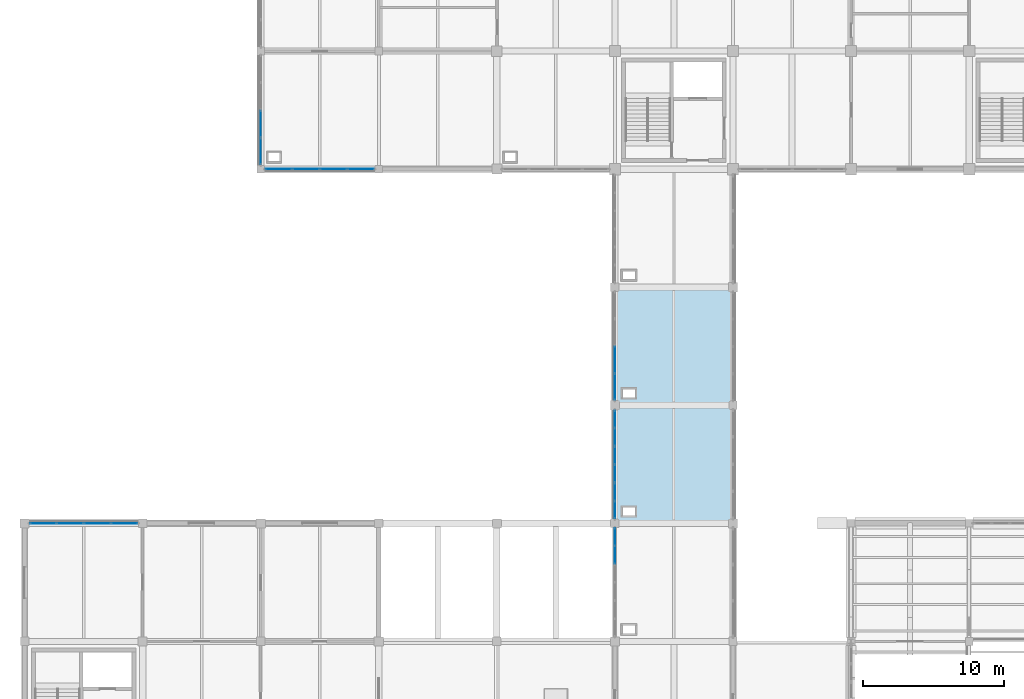
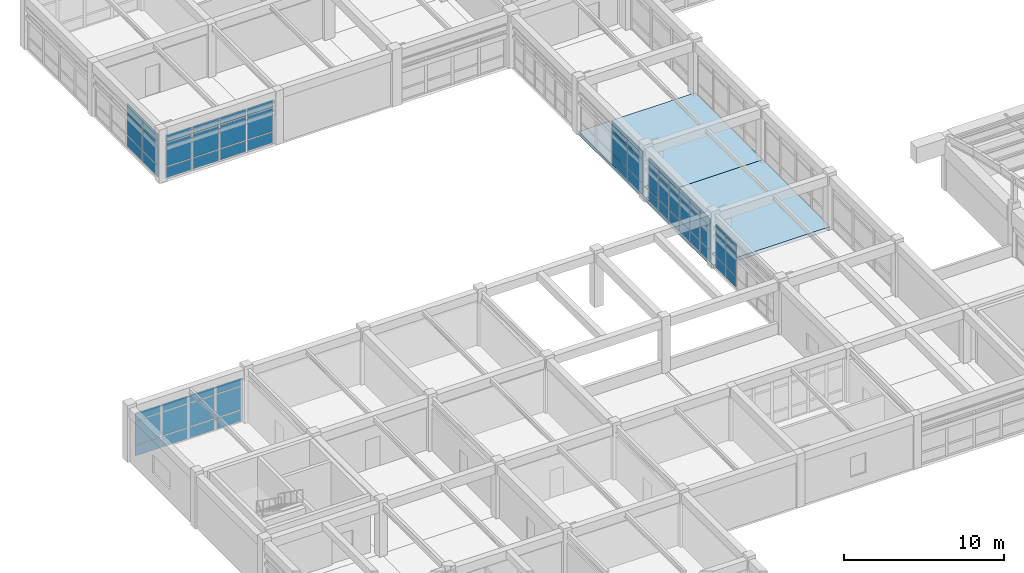
# One storey, part 51 of 74: 60 plates, 2 slabs, 6 elements without a shape of their own.
"""IFC4 building model written with IfcOpenShell, lengths in metres."""

from ifc_helpers import new_model, si_unit, direction, frame, origin, origin_2d, place, context, subcontext, project, spatial, polyline, rectangle, outline, extrude, material, layer, layer_set, type_object, element, aggregate, save


model = new_model("IFC4")

# Units and contexts
model_context = context("Model", 3, precision=1e-05, world=origin(), true_north=direction((0.0, 1.0)))
body_context = subcontext(model_context, "Body", "Model", "MODEL_VIEW")
ifc_project = project(units=[si_unit("LENGTHUNIT", "METRE"), si_unit("AREAUNIT", "SQUARE_METRE"), si_unit("VOLUMEUNIT", "CUBIC_METRE"), si_unit("PLANEANGLEUNIT", "RADIAN"), si_unit("MASSUNIT", "GRAM", prefix="KILO")], contexts=[model_context])

# Site, building, storey
site_placement = place(None, origin())
site = spatial("IfcSite", under=ifc_project, at=site_placement, CompositionType="ELEMENT")
building_placement = place(site_placement, origin())
building = spatial("IfcBuilding", under=site, at=building_placement, Name="Porcellanite Civic Hall", CompositionType="ELEMENT")
storey_placement = place(building_placement, frame((0.0, 0.0, 14.760009765625)))
storey = spatial("IfcBuildingStorey", under=building, at=storey_placement, Name="L03", CompositionType="ELEMENT", Elevation=14.760009765625)

# Curtain wall, plates
ifc_material_1 = material(Name="Anodised aluminium and solar laminated glass", Category="aluminium")
ifc_layer_1 = layer(ifc_material_1, 0.179931640625)
ifc_layer_set_1 = layer_set([ifc_layer_1], Name="Anodised aluminium and solar laminated glass")
curtain_wall_type_1 = type_object("IfcCurtainWallType", Name="CW-SYS05", PredefinedType="NOTDEFINED", material=ifc_layer_set_1)
curtain_wall_1_placement = place(storey_placement, origin())
curtain_wall_1 = element("IfcCurtainWall", 1, at=curtain_wall_1_placement, inside=storey, type_object=curtain_wall_type_1, Name="Curtain wall CW-185", PredefinedType="NOTDEFINED")
ifc_material_2 = material(Name="Cyclone laminated solar-control low-E glass", Category="glass")
ifc_layer_2 = layer(ifc_material_2, 0.028076171875)
ifc_layer_set_2 = layer_set([ifc_layer_2], Name="Cyclone laminated solar-control low-E glass")
plate_type_1 = type_object("IfcPlateType", Name="CWP-03", PredefinedType="CURTAIN_PANEL", material=ifc_layer_set_2)
plate_1_placement = place(storey_placement, frame((9.715087890625, 75.60009765625, 0.06005859375), z_axis=(0.0, 0.0, 1.0), x_axis=(1.0, 0.0, 0.0)))
plate_1 = element("IfcPlate", 2, at=plate_1_placement, type_object=plate_type_1, Name="CW-185 panel 1.1", PredefinedType="CURTAIN_PANEL", context=body_context, shape_type="SweptSolid", body=[
    extrude(rectangle(XDim=1.838134765625, YDim=0.028076171875, at=origin_2d()), origin(), (0.0, 0.0, 1.0), 0.81005859375),
])
plate_2_placement = place(storey_placement, frame((9.715087890625, 75.60009765625, 0.93017578125), z_axis=(0.0, 0.0, 1.0), x_axis=(1.0, 0.0, 0.0)))
plate_2 = element("IfcPlate", 3, at=plate_2_placement, type_object=plate_type_1, Name="CW-185 panel 1.2", PredefinedType="CURTAIN_PANEL", context=body_context, shape_type="SweptSolid", body=[
    extrude(rectangle(XDim=1.838134765625, YDim=0.028076171875, at=origin_2d()), origin(), (0.0, 0.0, 1.0), 1.760009765625),
])
plate_3_placement = place(storey_placement, frame((9.715087890625, 75.60009765625, 2.75), z_axis=(0.0, 0.0, 1.0), x_axis=(1.0, 0.0, 0.0)))
plate_3 = element("IfcPlate", 4, at=plate_3_placement, type_object=plate_type_1, Name="CW-185 panel 1.3", PredefinedType="CURTAIN_PANEL", context=body_context, shape_type="SweptSolid", body=[
    extrude(rectangle(XDim=1.838134765625, YDim=0.028076171875, at=origin_2d()), origin(), (0.0, 0.0, 1.0), 0.56005859375),
])
plate_4_placement = place(storey_placement, frame((11.640869140625, 75.60009765625, 0.06005859375), z_axis=(0.0, 0.0, 1.0), x_axis=(1.0, 0.0, 0.0)))
plate_4 = element("IfcPlate", 5, at=plate_4_placement, type_object=plate_type_1, Name="CW-185 panel 2.1", PredefinedType="CURTAIN_PANEL", context=body_context, shape_type="SweptSolid", body=[
    extrude(rectangle(XDim=1.873291015625, YDim=0.028076171875, at=origin_2d()), origin(), (0.0, 0.0, 1.0), 0.81005859375),
])
plate_5_placement = place(storey_placement, frame((11.640869140625, 75.60009765625, 0.93017578125), z_axis=(0.0, 0.0, 1.0), x_axis=(1.0, 0.0, 0.0)))
plate_5 = element("IfcPlate", 6, at=plate_5_placement, type_object=plate_type_1, Name="CW-185 panel 2.2", PredefinedType="CURTAIN_PANEL", context=body_context, shape_type="SweptSolid", body=[
    extrude(rectangle(XDim=1.873291015625, YDim=0.028076171875, at=origin_2d()), origin(), (0.0, 0.0, 1.0), 1.760009765625),
])
plate_6_placement = place(storey_placement, frame((11.640869140625, 75.60009765625, 2.75), z_axis=(0.0, 0.0, 1.0), x_axis=(1.0, 0.0, 0.0)))
plate_6 = element("IfcPlate", 7, at=plate_6_placement, type_object=plate_type_1, Name="CW-185 panel 2.3", PredefinedType="CURTAIN_PANEL", context=body_context, shape_type="SweptSolid", body=[
    extrude(rectangle(XDim=1.873291015625, YDim=0.028076171875, at=origin_2d()), origin(), (0.0, 0.0, 1.0), 0.56005859375),
])
plate_7_placement = place(storey_placement, frame((13.584228515625, 75.60009765625, 0.06005859375), z_axis=(0.0, 0.0, 1.0), x_axis=(1.0, 0.0, 0.0)))
plate_7 = element("IfcPlate", 8, at=plate_7_placement, type_object=plate_type_1, Name="CW-185 panel 3.1", PredefinedType="CURTAIN_PANEL", context=body_context, shape_type="SweptSolid", body=[
    extrude(rectangle(XDim=1.873291015625, YDim=0.028076171875, at=origin_2d()), origin(), (0.0, 0.0, 1.0), 0.81005859375),
])
plate_8_placement = place(storey_placement, frame((13.584228515625, 75.60009765625, 0.93017578125), z_axis=(0.0, 0.0, 1.0), x_axis=(1.0, 0.0, 0.0)))
plate_8 = element("IfcPlate", 9, at=plate_8_placement, type_object=plate_type_1, Name="CW-185 panel 3.2", PredefinedType="CURTAIN_PANEL", context=body_context, shape_type="SweptSolid", body=[
    extrude(rectangle(XDim=1.873291015625, YDim=0.028076171875, at=origin_2d()), origin(), (0.0, 0.0, 1.0), 1.760009765625),
])
plate_9_placement = place(storey_placement, frame((13.584228515625, 75.60009765625, 2.75), z_axis=(0.0, 0.0, 1.0), x_axis=(1.0, 0.0, 0.0)))
plate_9 = element("IfcPlate", 10, at=plate_9_placement, type_object=plate_type_1, Name="CW-185 panel 3.3", PredefinedType="CURTAIN_PANEL", context=body_context, shape_type="SweptSolid", body=[
    extrude(rectangle(XDim=1.873291015625, YDim=0.028076171875, at=origin_2d()), origin(), (0.0, 0.0, 1.0), 0.56005859375),
])
plate_10_placement = place(storey_placement, frame((15.509765625, 75.60009765625, 0.06005859375), z_axis=(0.0, 0.0, 1.0), x_axis=(1.0, 0.0, 0.0)))
plate_10 = element("IfcPlate", 11, at=plate_10_placement, type_object=plate_type_1, Name="CW-185 panel 4.1", PredefinedType="CURTAIN_PANEL", context=body_context, shape_type="SweptSolid", body=[
    extrude(rectangle(XDim=1.838134765625, YDim=0.028076171875, at=origin_2d()), origin(), (0.0, 0.0, 1.0), 0.81005859375),
])
plate_11_placement = place(storey_placement, frame((15.509765625, 75.60009765625, 0.93017578125), z_axis=(0.0, 0.0, 1.0), x_axis=(1.0, 0.0, 0.0)))
plate_11 = element("IfcPlate", 12, at=plate_11_placement, type_object=plate_type_1, Name="CW-185 panel 4.2", PredefinedType="CURTAIN_PANEL", context=body_context, shape_type="SweptSolid", body=[
    extrude(rectangle(XDim=1.838134765625, YDim=0.028076171875, at=origin_2d()), origin(), (0.0, 0.0, 1.0), 1.760009765625),
])
plate_12_placement = place(storey_placement, frame((15.509765625, 75.60009765625, 2.75), z_axis=(0.0, 0.0, 1.0), x_axis=(1.0, 0.0, 0.0)))
plate_12 = element("IfcPlate", 13, at=plate_12_placement, type_object=plate_type_1, Name="CW-185 panel 4.3", PredefinedType="CURTAIN_PANEL", context=body_context, shape_type="SweptSolid", body=[
    extrude(rectangle(XDim=1.838134765625, YDim=0.028076171875, at=origin_2d()), origin(), (0.0, 0.0, 1.0), 0.56005859375),
])
aggregate(curtain_wall_1, [plate_1, plate_2, plate_3, plate_4, plate_5, plate_6, plate_7, plate_8, plate_9, plate_10, plate_11, plate_12])

curtain_wall_2_placement = place(storey_placement, origin())
curtain_wall_2 = element("IfcCurtainWall", 14, at=curtain_wall_2_placement, inside=storey, type_object=curtain_wall_type_1, Name="Curtain wall CW-187", PredefinedType="NOTDEFINED")
plate_13_placement = place(storey_placement, frame((32.325439453125, 100.800048828125, 0.06005859375), z_axis=(0.0, 0.0, 1.0), x_axis=(-1.0, 0.0, 0.0)))
plate_13 = element("IfcPlate", 15, at=plate_13_placement, type_object=plate_type_1, Name="CW-187 panel 1.1", PredefinedType="CURTAIN_PANEL", context=body_context, shape_type="SweptSolid", body=[
    extrude(rectangle(XDim=1.85693359375, YDim=0.028076171875, at=origin_2d()), origin(), (0.0, 0.0, 1.0), 0.81005859375),
])
plate_14_placement = place(storey_placement, frame((32.325439453125, 100.800048828125, 0.93017578125), z_axis=(0.0, 0.0, 1.0), x_axis=(-1.0, 0.0, 0.0)))
plate_14 = element("IfcPlate", 16, at=plate_14_placement, type_object=plate_type_1, Name="CW-187 panel 1.2", PredefinedType="CURTAIN_PANEL", context=body_context, shape_type="SweptSolid", body=[
    extrude(rectangle(XDim=1.85693359375, YDim=0.028076171875, at=origin_2d()), origin(), (0.0, 0.0, 1.0), 1.760009765625),
])
plate_15_placement = place(storey_placement, frame((32.325439453125, 100.800048828125, 2.75), z_axis=(0.0, 0.0, 1.0), x_axis=(-1.0, 0.0, 0.0)))
plate_15 = element("IfcPlate", 17, at=plate_15_placement, type_object=plate_type_1, Name="CW-187 panel 1.3", PredefinedType="CURTAIN_PANEL", context=body_context, shape_type="SweptSolid", body=[
    extrude(rectangle(XDim=1.85693359375, YDim=0.028076171875, at=origin_2d()), origin(), (0.0, 0.0, 1.0), 0.56005859375),
])
plate_16_placement = place(storey_placement, frame((30.381103515625, 100.800048828125, 0.06005859375), z_axis=(0.0, 0.0, 1.0), x_axis=(-1.0, 0.0, 0.0)))
plate_16 = element("IfcPlate", 18, at=plate_16_placement, type_object=plate_type_1, Name="CW-187 panel 2.1", PredefinedType="CURTAIN_PANEL", context=body_context, shape_type="SweptSolid", body=[
    extrude(rectangle(XDim=1.89208984375, YDim=0.028076171875, at=origin_2d()), origin(), (0.0, 0.0, 1.0), 0.81005859375),
])
plate_17_placement = place(storey_placement, frame((30.381103515625, 100.800048828125, 0.93017578125), z_axis=(0.0, 0.0, 1.0), x_axis=(-1.0, 0.0, 0.0)))
plate_17 = element("IfcPlate", 19, at=plate_17_placement, type_object=plate_type_1, Name="CW-187 panel 2.2", PredefinedType="CURTAIN_PANEL", context=body_context, shape_type="SweptSolid", body=[
    extrude(rectangle(XDim=1.89208984375, YDim=0.028076171875, at=origin_2d()), origin(), (0.0, 0.0, 1.0), 1.760009765625),
])
plate_18_placement = place(storey_placement, frame((30.381103515625, 100.800048828125, 2.75), z_axis=(0.0, 0.0, 1.0), x_axis=(-1.0, 0.0, 0.0)))
plate_18 = element("IfcPlate", 20, at=plate_18_placement, type_object=plate_type_1, Name="CW-187 panel 2.3", PredefinedType="CURTAIN_PANEL", context=body_context, shape_type="SweptSolid", body=[
    extrude(rectangle(XDim=1.89208984375, YDim=0.028076171875, at=origin_2d()), origin(), (0.0, 0.0, 1.0), 0.56005859375),
])
plate_19_placement = place(storey_placement, frame((28.4189453125, 100.800048828125, 0.06005859375), z_axis=(0.0, 0.0, 1.0), x_axis=(-1.0, 0.0, 0.0)))
plate_19 = element("IfcPlate", 21, at=plate_19_placement, type_object=plate_type_1, Name="CW-187 panel 3.1", PredefinedType="CURTAIN_PANEL", context=body_context, shape_type="SweptSolid", body=[
    extrude(rectangle(XDim=1.89208984375, YDim=0.028076171875, at=origin_2d()), origin(), (0.0, 0.0, 1.0), 0.81005859375),
])
plate_20_placement = place(storey_placement, frame((28.4189453125, 100.800048828125, 0.93017578125), z_axis=(0.0, 0.0, 1.0), x_axis=(-1.0, 0.0, 0.0)))
plate_20 = element("IfcPlate", 22, at=plate_20_placement, type_object=plate_type_1, Name="CW-187 panel 3.2", PredefinedType="CURTAIN_PANEL", context=body_context, shape_type="SweptSolid", body=[
    extrude(rectangle(XDim=1.89208984375, YDim=0.028076171875, at=origin_2d()), origin(), (0.0, 0.0, 1.0), 1.760009765625),
])
plate_21_placement = place(storey_placement, frame((28.4189453125, 100.800048828125, 2.75), z_axis=(0.0, 0.0, 1.0), x_axis=(-1.0, 0.0, 0.0)))
plate_21 = element("IfcPlate", 23, at=plate_21_placement, type_object=plate_type_1, Name="CW-187 panel 3.3", PredefinedType="CURTAIN_PANEL", context=body_context, shape_type="SweptSolid", body=[
    extrude(rectangle(XDim=1.89208984375, YDim=0.028076171875, at=origin_2d()), origin(), (0.0, 0.0, 1.0), 0.56005859375),
])
plate_22_placement = place(storey_placement, frame((26.474609375, 100.800048828125, 0.06005859375), z_axis=(0.0, 0.0, 1.0), x_axis=(-1.0, 0.0, 0.0)))
plate_22 = element("IfcPlate", 24, at=plate_22_placement, type_object=plate_type_1, Name="CW-187 panel 4.1", PredefinedType="CURTAIN_PANEL", context=body_context, shape_type="SweptSolid", body=[
    extrude(rectangle(XDim=1.85693359375, YDim=0.028076171875, at=origin_2d()), origin(), (0.0, 0.0, 1.0), 0.81005859375),
])
plate_23_placement = place(storey_placement, frame((26.474609375, 100.800048828125, 0.93017578125), z_axis=(0.0, 0.0, 1.0), x_axis=(-1.0, 0.0, 0.0)))
plate_23 = element("IfcPlate", 25, at=plate_23_placement, type_object=plate_type_1, Name="CW-187 panel 4.2", PredefinedType="CURTAIN_PANEL", context=body_context, shape_type="SweptSolid", body=[
    extrude(rectangle(XDim=1.85693359375, YDim=0.028076171875, at=origin_2d()), origin(), (0.0, 0.0, 1.0), 1.760009765625),
])
plate_24_placement = place(storey_placement, frame((26.474609375, 100.800048828125, 2.75), z_axis=(0.0, 0.0, 1.0), x_axis=(-1.0, 0.0, 0.0)))
plate_24 = element("IfcPlate", 26, at=plate_24_placement, type_object=plate_type_1, Name="CW-187 panel 4.3", PredefinedType="CURTAIN_PANEL", context=body_context, shape_type="SweptSolid", body=[
    extrude(rectangle(XDim=1.85693359375, YDim=0.028076171875, at=origin_2d()), origin(), (0.0, 0.0, 1.0), 0.56005859375),
])
aggregate(curtain_wall_2, [plate_13, plate_14, plate_15, plate_16, plate_17, plate_18, plate_19, plate_20, plate_21, plate_22, plate_23, plate_24])

curtain_wall_3_placement = place(storey_placement, origin())
curtain_wall_3 = element("IfcCurtainWall", 27, at=curtain_wall_3_placement, inside=storey, type_object=curtain_wall_type_1, Name="Curtain wall CW-188", PredefinedType="NOTDEFINED")
plate_25_placement = place(storey_placement, frame((25.199951171875, 102.074462890625, 0.06005859375), z_axis=(0.0, 0.0, 1.0), x_axis=(0.0, 1.0, 0.0)))
plate_25 = element("IfcPlate", 28, at=plate_25_placement, type_object=plate_type_1, Name="CW-188 panel 1.1", PredefinedType="CURTAIN_PANEL", context=body_context, shape_type="SweptSolid", body=[
    extrude(rectangle(XDim=1.85693359375, YDim=0.028076171875, at=origin_2d()), origin(), (0.0, 0.0, 1.0), 0.81005859375),
])
plate_26_placement = place(storey_placement, frame((25.199951171875, 102.074462890625, 0.93017578125), z_axis=(0.0, 0.0, 1.0), x_axis=(0.0, 1.0, 0.0)))
plate_26 = element("IfcPlate", 29, at=plate_26_placement, type_object=plate_type_1, Name="CW-188 panel 1.2", PredefinedType="CURTAIN_PANEL", context=body_context, shape_type="SweptSolid", body=[
    extrude(rectangle(XDim=1.85693359375, YDim=0.028076171875, at=origin_2d()), origin(), (0.0, 0.0, 1.0), 1.760009765625),
])
plate_27_placement = place(storey_placement, frame((25.199951171875, 102.074462890625, 2.75), z_axis=(0.0, 0.0, 1.0), x_axis=(0.0, 1.0, 0.0)))
plate_27 = element("IfcPlate", 30, at=plate_27_placement, type_object=plate_type_1, Name="CW-188 panel 1.3", PredefinedType="CURTAIN_PANEL", context=body_context, shape_type="SweptSolid", body=[
    extrude(rectangle(XDim=1.85693359375, YDim=0.028076171875, at=origin_2d()), origin(), (0.0, 0.0, 1.0), 0.56005859375),
])
plate_28_placement = place(storey_placement, frame((25.199951171875, 104.01904296875, 0.06005859375), z_axis=(0.0, 0.0, 1.0), x_axis=(0.0, 1.0, 0.0)))
plate_28 = element("IfcPlate", 31, at=plate_28_placement, type_object=plate_type_1, Name="CW-188 panel 2.1", PredefinedType="CURTAIN_PANEL", context=body_context, shape_type="SweptSolid", body=[
    extrude(rectangle(XDim=1.89208984375, YDim=0.028076171875, at=origin_2d()), origin(), (0.0, 0.0, 1.0), 0.81005859375),
])
plate_29_placement = place(storey_placement, frame((25.199951171875, 104.01904296875, 0.93017578125), z_axis=(0.0, 0.0, 1.0), x_axis=(0.0, 1.0, 0.0)))
plate_29 = element("IfcPlate", 32, at=plate_29_placement, type_object=plate_type_1, Name="CW-188 panel 2.2", PredefinedType="CURTAIN_PANEL", context=body_context, shape_type="SweptSolid", body=[
    extrude(rectangle(XDim=1.89208984375, YDim=0.028076171875, at=origin_2d()), origin(), (0.0, 0.0, 1.0), 1.760009765625),
])
plate_30_placement = place(storey_placement, frame((25.199951171875, 104.01904296875, 2.75), z_axis=(0.0, 0.0, 1.0), x_axis=(0.0, 1.0, 0.0)))
plate_30 = element("IfcPlate", 33, at=plate_30_placement, type_object=plate_type_1, Name="CW-188 panel 2.3", PredefinedType="CURTAIN_PANEL", context=body_context, shape_type="SweptSolid", body=[
    extrude(rectangle(XDim=1.89208984375, YDim=0.028076171875, at=origin_2d()), origin(), (0.0, 0.0, 1.0), 0.56005859375),
])
aggregate(curtain_wall_3, [plate_25, plate_26, plate_27, plate_28, plate_29, plate_30])

ifc_material_3 = material(Name="Anodised aluminium and solar laminated glass", Category="aluminium")
ifc_layer_3 = layer(ifc_material_3, 0.179931640625)
ifc_layer_set_3 = layer_set([ifc_layer_3], Name="Anodised aluminium and solar laminated glass")
curtain_wall_type_2 = type_object("IfcCurtainWallType", Name="CW-SYS07", PredefinedType="NOTDEFINED", material=ifc_layer_set_3)
curtain_wall_4_placement = place(storey_placement, origin())
curtain_wall_4 = element("IfcCurtainWall", 34, at=curtain_wall_4_placement, inside=storey, type_object=curtain_wall_type_2, Name="Curtain wall CW-195", PredefinedType="NOTDEFINED")
ifc_material_4 = material(Name="Cyclone laminated solar-control low-E glass", Category="glass")
ifc_layer_4 = layer(ifc_material_4, 0.033935546875)
ifc_layer_set_4 = layer_set([ifc_layer_4], Name="Cyclone laminated solar-control low-E glass")
plate_type_2 = type_object("IfcPlateType", Name="CWP-06", PredefinedType="CURTAIN_PANEL", material=ifc_layer_set_4)
plate_31_placement = place(storey_placement, frame((50.39990234375, 73.355712890625, 0.0498046875), z_axis=(0.0, 0.0, 1.0), x_axis=(0.0, 1.0, 0.0)))
plate_31 = element("IfcPlate", 35, at=plate_31_placement, type_object=plate_type_2, Name="CW-195 panel 5.1", PredefinedType="CURTAIN_PANEL", context=body_context, shape_type="SweptSolid", body=[
    extrude(rectangle(XDim=1.235595703125, YDim=0.033935546875, at=origin_2d()), origin(), (0.0, 0.0, 1.0), 0.824951171875),
])
plate_32_placement = place(storey_placement, frame((50.39990234375, 73.355712890625, 0.925048828125), z_axis=(0.0, 0.0, 1.0), x_axis=(0.0, 1.0, 0.0)))
plate_32 = element("IfcPlate", 36, at=plate_32_placement, type_object=plate_type_2, Name="CW-195 panel 5.2", PredefinedType="CURTAIN_PANEL", context=body_context, shape_type="SweptSolid", body=[
    extrude(rectangle(XDim=1.235595703125, YDim=0.033935546875, at=origin_2d()), origin(), (0.0, 0.0, 1.0), 1.77001953125),
])
plate_33_placement = place(storey_placement, frame((50.39990234375, 73.355712890625, 2.7451171875), z_axis=(0.0, 0.0, 1.0), x_axis=(0.0, 1.0, 0.0)))
plate_33 = element("IfcPlate", 37, at=plate_33_placement, type_object=plate_type_2, Name="CW-195 panel 5.3", PredefinedType="CURTAIN_PANEL", context=body_context, shape_type="SweptSolid", body=[
    extrude(rectangle(XDim=1.235595703125, YDim=0.033935546875, at=origin_2d()), origin(), (0.0, 0.0, 1.0), 0.574951171875),
])
plate_34_placement = place(storey_placement, frame((50.39990234375, 74.63623046875, 0.0498046875), z_axis=(0.0, 0.0, 1.0), x_axis=(0.0, 1.0, 0.0)))
plate_34 = element("IfcPlate", 38, at=plate_34_placement, type_object=plate_type_2, Name="CW-195 panel 6.1", PredefinedType="CURTAIN_PANEL", context=body_context, shape_type="SweptSolid", body=[
    extrude(rectangle(XDim=1.20556640625, YDim=0.033935546875, at=origin_2d()), origin(), (0.0, 0.0, 1.0), 0.824951171875),
])
plate_35_placement = place(storey_placement, frame((50.39990234375, 74.63623046875, 0.925048828125), z_axis=(0.0, 0.0, 1.0), x_axis=(0.0, 1.0, 0.0)))
plate_35 = element("IfcPlate", 39, at=plate_35_placement, type_object=plate_type_2, Name="CW-195 panel 6.2", PredefinedType="CURTAIN_PANEL", context=body_context, shape_type="SweptSolid", body=[
    extrude(rectangle(XDim=1.20556640625, YDim=0.033935546875, at=origin_2d()), origin(), (0.0, 0.0, 1.0), 1.77001953125),
])
plate_36_placement = place(storey_placement, frame((50.39990234375, 74.63623046875, 2.7451171875), z_axis=(0.0, 0.0, 1.0), x_axis=(0.0, 1.0, 0.0)))
plate_36 = element("IfcPlate", 40, at=plate_36_placement, type_object=plate_type_2, Name="CW-195 panel 6.3", PredefinedType="CURTAIN_PANEL", context=body_context, shape_type="SweptSolid", body=[
    extrude(rectangle(XDim=1.20556640625, YDim=0.033935546875, at=origin_2d()), origin(), (0.0, 0.0, 1.0), 0.574951171875),
])
aggregate(curtain_wall_4, [plate_31, plate_32, plate_33, plate_34, plate_35, plate_36])

ifc_material_5 = material(Name="Anodised aluminium and solar laminated glass", Category="aluminium")
ifc_layer_5 = layer(ifc_material_5, 0.179931640625)
ifc_layer_set_5 = layer_set([ifc_layer_5], Name="Anodised aluminium and solar laminated glass")
curtain_wall_type_3 = type_object("IfcCurtainWallType", Name="CW-SYS01", PredefinedType="NOTDEFINED", material=ifc_layer_set_5)
curtain_wall_5_placement = place(storey_placement, origin())
curtain_wall_5 = element("IfcCurtainWall", 41, at=curtain_wall_5_placement, inside=storey, type_object=curtain_wall_type_3, Name="Curtain wall CW-197", PredefinedType="NOTDEFINED")
ifc_material_6 = material(Name="Insulated ochre aluminium spandrel panel", Category="aluminium")
ifc_layer_6 = layer(ifc_material_6, 0.0380859375)
ifc_layer_set_6 = layer_set([ifc_layer_6], Name="Insulated ochre aluminium spandrel panel")
plate_type_3 = type_object("IfcPlateType", Name="CWP-08", PredefinedType="CURTAIN_PANEL", material=ifc_layer_set_6)
plate_37_placement = place(storey_placement, frame((50.39990234375, 76.566162109375, 0.06005859375), z_axis=(0.0, 0.0, 1.0), x_axis=(0.0, 1.0, 0.0)))
plate_37 = element("IfcPlate", 42, at=plate_37_placement, type_object=plate_type_3, Name="CW-197 panel 1.1", PredefinedType="CURTAIN_PANEL", context=body_context, shape_type="SweptSolid", body=[
    extrude(rectangle(XDim=1.1904296875, YDim=0.0380859375, at=origin_2d()), origin(), (0.0, 0.0, 1.0), 0.81005859375),
])
plate_38_placement = place(storey_placement, frame((50.39990234375, 76.566162109375, 0.93017578125), z_axis=(0.0, 0.0, 1.0), x_axis=(0.0, 1.0, 0.0)))
plate_38 = element("IfcPlate", 43, at=plate_38_placement, type_object=plate_type_3, Name="CW-197 panel 1.2", PredefinedType="CURTAIN_PANEL", context=body_context, shape_type="SweptSolid", body=[
    extrude(rectangle(XDim=1.1904296875, YDim=0.0380859375, at=origin_2d()), origin(), (0.0, 0.0, 1.0), 1.760009765625),
])
plate_39_placement = place(storey_placement, frame((50.39990234375, 76.566162109375, 2.75), z_axis=(0.0, 0.0, 1.0), x_axis=(0.0, 1.0, 0.0)))
plate_39 = element("IfcPlate", 44, at=plate_39_placement, type_object=plate_type_3, Name="CW-197 panel 1.3", PredefinedType="CURTAIN_PANEL", context=body_context, shape_type="SweptSolid", body=[
    extrude(rectangle(XDim=1.1904296875, YDim=0.0380859375, at=origin_2d()), origin(), (0.0, 0.0, 1.0), 0.56005859375),
])
plate_40_placement = place(storey_placement, frame((50.39990234375, 77.84423828125, 0.06005859375), z_axis=(0.0, 0.0, 1.0), x_axis=(0.0, 1.0, 0.0)))
plate_40 = element("IfcPlate", 45, at=plate_40_placement, type_object=plate_type_3, Name="CW-197 panel 2.1", PredefinedType="CURTAIN_PANEL", context=body_context, shape_type="SweptSolid", body=[
    extrude(rectangle(XDim=1.2255859375, YDim=0.0380859375, at=origin_2d()), origin(), (0.0, 0.0, 1.0), 0.81005859375),
])
plate_41_placement = place(storey_placement, frame((50.39990234375, 77.84423828125, 0.93017578125), z_axis=(0.0, 0.0, 1.0), x_axis=(0.0, 1.0, 0.0)))
plate_41 = element("IfcPlate", 46, at=plate_41_placement, type_object=plate_type_3, Name="CW-197 panel 2.2", PredefinedType="CURTAIN_PANEL", context=body_context, shape_type="SweptSolid", body=[
    extrude(rectangle(XDim=1.2255859375, YDim=0.0380859375, at=origin_2d()), origin(), (0.0, 0.0, 1.0), 1.760009765625),
])
plate_42_placement = place(storey_placement, frame((50.39990234375, 77.84423828125, 2.75), z_axis=(0.0, 0.0, 1.0), x_axis=(0.0, 1.0, 0.0)))
plate_42 = element("IfcPlate", 47, at=plate_42_placement, type_object=plate_type_3, Name="CW-197 panel 2.3", PredefinedType="CURTAIN_PANEL", context=body_context, shape_type="SweptSolid", body=[
    extrude(rectangle(XDim=1.2255859375, YDim=0.0380859375, at=origin_2d()), origin(), (0.0, 0.0, 1.0), 0.56005859375),
])
plate_43_placement = place(storey_placement, frame((50.39990234375, 79.1396484375, 0.06005859375), z_axis=(0.0, 0.0, 1.0), x_axis=(0.0, 1.0, 0.0)))
plate_43 = element("IfcPlate", 48, at=plate_43_placement, type_object=plate_type_3, Name="CW-197 panel 3.1", PredefinedType="CURTAIN_PANEL", context=body_context, shape_type="SweptSolid", body=[
    extrude(rectangle(XDim=1.2255859375, YDim=0.0380859375, at=origin_2d()), origin(), (0.0, 0.0, 1.0), 0.81005859375),
])
plate_44_placement = place(storey_placement, frame((50.39990234375, 79.1396484375, 0.93017578125), z_axis=(0.0, 0.0, 1.0), x_axis=(0.0, 1.0, 0.0)))
plate_44 = element("IfcPlate", 49, at=plate_44_placement, type_object=plate_type_3, Name="CW-197 panel 3.2", PredefinedType="CURTAIN_PANEL", context=body_context, shape_type="SweptSolid", body=[
    extrude(rectangle(XDim=1.2255859375, YDim=0.0380859375, at=origin_2d()), origin(), (0.0, 0.0, 1.0), 1.760009765625),
])
plate_45_placement = place(storey_placement, frame((50.39990234375, 79.1396484375, 2.75), z_axis=(0.0, 0.0, 1.0), x_axis=(0.0, 1.0, 0.0)))
plate_45 = element("IfcPlate", 50, at=plate_45_placement, type_object=plate_type_3, Name="CW-197 panel 3.3", PredefinedType="CURTAIN_PANEL", context=body_context, shape_type="SweptSolid", body=[
    extrude(rectangle(XDim=1.2255859375, YDim=0.0380859375, at=origin_2d()), origin(), (0.0, 0.0, 1.0), 0.56005859375),
])
plate_46_placement = place(storey_placement, frame((50.39990234375, 80.435302734375, 0.06005859375), z_axis=(0.0, 0.0, 1.0), x_axis=(0.0, 1.0, 0.0)))
plate_46 = element("IfcPlate", 51, at=plate_46_placement, type_object=plate_type_3, Name="CW-197 panel 4.1", PredefinedType="CURTAIN_PANEL", context=body_context, shape_type="SweptSolid", body=[
    extrude(rectangle(XDim=1.2255859375, YDim=0.0380859375, at=origin_2d()), origin(), (0.0, 0.0, 1.0), 0.81005859375),
])
plate_47_placement = place(storey_placement, frame((50.39990234375, 80.435302734375, 0.93017578125), z_axis=(0.0, 0.0, 1.0), x_axis=(0.0, 1.0, 0.0)))
plate_47 = element("IfcPlate", 52, at=plate_47_placement, type_object=plate_type_3, Name="CW-197 panel 4.2", PredefinedType="CURTAIN_PANEL", context=body_context, shape_type="SweptSolid", body=[
    extrude(rectangle(XDim=1.2255859375, YDim=0.0380859375, at=origin_2d()), origin(), (0.0, 0.0, 1.0), 1.760009765625),
])
plate_48_placement = place(storey_placement, frame((50.39990234375, 80.435302734375, 2.75), z_axis=(0.0, 0.0, 1.0), x_axis=(0.0, 1.0, 0.0)))
plate_48 = element("IfcPlate", 53, at=plate_48_placement, type_object=plate_type_3, Name="CW-197 panel 4.3", PredefinedType="CURTAIN_PANEL", context=body_context, shape_type="SweptSolid", body=[
    extrude(rectangle(XDim=1.2255859375, YDim=0.0380859375, at=origin_2d()), origin(), (0.0, 0.0, 1.0), 0.56005859375),
])
plate_49_placement = place(storey_placement, frame((50.39990234375, 81.730712890625, 0.06005859375), z_axis=(0.0, 0.0, 1.0), x_axis=(0.0, 1.0, 0.0)))
plate_49 = element("IfcPlate", 54, at=plate_49_placement, type_object=plate_type_3, Name="CW-197 panel 5.1", PredefinedType="CURTAIN_PANEL", context=body_context, shape_type="SweptSolid", body=[
    extrude(rectangle(XDim=1.2255859375, YDim=0.0380859375, at=origin_2d()), origin(), (0.0, 0.0, 1.0), 0.81005859375),
])
plate_50_placement = place(storey_placement, frame((50.39990234375, 81.730712890625, 0.93017578125), z_axis=(0.0, 0.0, 1.0), x_axis=(0.0, 1.0, 0.0)))
plate_50 = element("IfcPlate", 55, at=plate_50_placement, type_object=plate_type_3, Name="CW-197 panel 5.2", PredefinedType="CURTAIN_PANEL", context=body_context, shape_type="SweptSolid", body=[
    extrude(rectangle(XDim=1.2255859375, YDim=0.0380859375, at=origin_2d()), origin(), (0.0, 0.0, 1.0), 1.760009765625),
])
plate_51_placement = place(storey_placement, frame((50.39990234375, 81.730712890625, 2.75), z_axis=(0.0, 0.0, 1.0), x_axis=(0.0, 1.0, 0.0)))
plate_51 = element("IfcPlate", 56, at=plate_51_placement, type_object=plate_type_3, Name="CW-197 panel 5.3", PredefinedType="CURTAIN_PANEL", context=body_context, shape_type="SweptSolid", body=[
    extrude(rectangle(XDim=1.2255859375, YDim=0.0380859375, at=origin_2d()), origin(), (0.0, 0.0, 1.0), 0.56005859375),
])
plate_52_placement = place(storey_placement, frame((50.39990234375, 83.0087890625, 0.06005859375), z_axis=(0.0, 0.0, 1.0), x_axis=(0.0, 1.0, 0.0)))
plate_52 = element("IfcPlate", 57, at=plate_52_placement, type_object=plate_type_3, Name="CW-197 panel 6.1", PredefinedType="CURTAIN_PANEL", context=body_context, shape_type="SweptSolid", body=[
    extrude(rectangle(XDim=1.1904296875, YDim=0.0380859375, at=origin_2d()), origin(), (0.0, 0.0, 1.0), 0.81005859375),
])
plate_53_placement = place(storey_placement, frame((50.39990234375, 83.0087890625, 0.93017578125), z_axis=(0.0, 0.0, 1.0), x_axis=(0.0, 1.0, 0.0)))
plate_53 = element("IfcPlate", 58, at=plate_53_placement, type_object=plate_type_3, Name="CW-197 panel 6.2", PredefinedType="CURTAIN_PANEL", context=body_context, shape_type="SweptSolid", body=[
    extrude(rectangle(XDim=1.1904296875, YDim=0.0380859375, at=origin_2d()), origin(), (0.0, 0.0, 1.0), 1.760009765625),
])
plate_54_placement = place(storey_placement, frame((50.39990234375, 83.0087890625, 2.75), z_axis=(0.0, 0.0, 1.0), x_axis=(0.0, 1.0, 0.0)))
plate_54 = element("IfcPlate", 59, at=plate_54_placement, type_object=plate_type_3, Name="CW-197 panel 6.3", PredefinedType="CURTAIN_PANEL", context=body_context, shape_type="SweptSolid", body=[
    extrude(rectangle(XDim=1.1904296875, YDim=0.0380859375, at=origin_2d()), origin(), (0.0, 0.0, 1.0), 0.56005859375),
])
aggregate(curtain_wall_5, [plate_37, plate_38, plate_39, plate_40, plate_41, plate_42, plate_43, plate_44, plate_45, plate_46, plate_47, plate_48, plate_49, plate_50, plate_51, plate_52, plate_53, plate_54])

ifc_material_7 = material(Name="Anodised aluminium and solar laminated glass", Category="aluminium")
ifc_layer_7 = layer(ifc_material_7, 0.179931640625)
ifc_layer_set_7 = layer_set([ifc_layer_7], Name="Anodised aluminium and solar laminated glass")
curtain_wall_type_4 = type_object("IfcCurtainWallType", Name="CW-SYS04", PredefinedType="NOTDEFINED", material=ifc_layer_set_7)
curtain_wall_6_placement = place(storey_placement, origin())
curtain_wall_6 = element("IfcCurtainWall", 60, at=curtain_wall_6_placement, inside=storey, type_object=curtain_wall_type_4, Name="Curtain wall CW-199", PredefinedType="NOTDEFINED")
ifc_material_8 = material(Name="Insulated ochre aluminium spandrel panel", Category="aluminium")
ifc_layer_8 = layer(ifc_material_8, 0.0458984375)
ifc_layer_set_8 = layer_set([ifc_layer_8], Name="Insulated ochre aluminium spandrel panel")
plate_type_4 = type_object("IfcPlateType", Name="CWP-10", PredefinedType="CURTAIN_PANEL", material=ifc_layer_set_8)
plate_55_placement = place(storey_placement, frame((50.39990234375, 85.31640625, 0.054931640625), z_axis=(0.0, 0.0, 1.0), x_axis=(0.0, 1.0, 0.0)))
plate_55 = element("IfcPlate", 61, at=plate_55_placement, type_object=plate_type_4, Name="CW-199 panel 1.1", PredefinedType="CURTAIN_PANEL", context=body_context, shape_type="SweptSolid", body=[
    extrude(rectangle(XDim=1.830810546875, YDim=0.0458984375, at=origin_2d()), origin(), (0.0, 0.0, 1.0), 0.8173828125),
])
plate_56_placement = place(storey_placement, frame((50.39990234375, 85.31640625, 0.927734375), z_axis=(0.0, 0.0, 1.0), x_axis=(0.0, 1.0, 0.0)))
plate_56 = element("IfcPlate", 62, at=plate_56_placement, type_object=plate_type_4, Name="CW-199 panel 1.2", PredefinedType="CURTAIN_PANEL", context=body_context, shape_type="SweptSolid", body=[
    extrude(rectangle(XDim=1.830810546875, YDim=0.0458984375, at=origin_2d()), origin(), (0.0, 0.0, 1.0), 1.764892578125),
])
plate_57_placement = place(storey_placement, frame((50.39990234375, 85.31640625, 2.74755859375), z_axis=(0.0, 0.0, 1.0), x_axis=(0.0, 1.0, 0.0)))
plate_57 = element("IfcPlate", 63, at=plate_57_placement, type_object=plate_type_4, Name="CW-199 panel 1.3", PredefinedType="CURTAIN_PANEL", context=body_context, shape_type="SweptSolid", body=[
    extrude(rectangle(XDim=1.830810546875, YDim=0.0458984375, at=origin_2d()), origin(), (0.0, 0.0, 1.0), 0.5673828125),
])
plate_58_placement = place(storey_placement, frame((50.39990234375, 87.240966796875, 0.054931640625), z_axis=(0.0, 0.0, 1.0), x_axis=(0.0, 1.0, 0.0)))
plate_58 = element("IfcPlate", 64, at=plate_58_placement, type_object=plate_type_4, Name="CW-199 panel 2.1", PredefinedType="CURTAIN_PANEL", context=body_context, shape_type="SweptSolid", body=[
    extrude(rectangle(XDim=1.8681640625, YDim=0.0458984375, at=origin_2d()), origin(), (0.0, 0.0, 1.0), 0.8173828125),
])
plate_59_placement = place(storey_placement, frame((50.39990234375, 87.240966796875, 0.927734375), z_axis=(0.0, 0.0, 1.0), x_axis=(0.0, 1.0, 0.0)))
plate_59 = element("IfcPlate", 65, at=plate_59_placement, type_object=plate_type_4, Name="CW-199 panel 2.2", PredefinedType="CURTAIN_PANEL", context=body_context, shape_type="SweptSolid", body=[
    extrude(rectangle(XDim=1.8681640625, YDim=0.0458984375, at=origin_2d()), origin(), (0.0, 0.0, 1.0), 1.764892578125),
])
plate_60_placement = place(storey_placement, frame((50.39990234375, 87.240966796875, 2.74755859375), z_axis=(0.0, 0.0, 1.0), x_axis=(0.0, 1.0, 0.0)))
plate_60 = element("IfcPlate", 66, at=plate_60_placement, type_object=plate_type_4, Name="CW-199 panel 2.3", PredefinedType="CURTAIN_PANEL", context=body_context, shape_type="SweptSolid", body=[
    extrude(rectangle(XDim=1.8681640625, YDim=0.0458984375, at=origin_2d()), origin(), (0.0, 0.0, 1.0), 0.5673828125),
])
aggregate(curtain_wall_6, [plate_55, plate_56, plate_57, plate_58, plate_59, plate_60])

# Slabs
ifc_material_9 = material(Name="Concrete N40 (40 MPa)", Category="concrete")
ifc_layer_9 = layer(ifc_material_9, 0.25)
ifc_layer_set_9 = layer_set([ifc_layer_9], Name="Concrete N40 (40 MPa)")
slab_type_1 = type_object("IfcSlabType", Name="SL-FL250", PredefinedType="FLOOR", material=ifc_layer_set_9)
slab_1_placement = place(storey_placement, frame((0.0, 0.0, -0.25)))
element("IfcSlab", 67, at=slab_1_placement, inside=storey, type_object=slab_type_1, Name="Slab L03 bay 7-11", PredefinedType="FLOOR", context=body_context, shape_type="SweptSolid", body=[
    extrude(outline(polyline([(50.39990234375, 84.0), (58.800048828125, 84.0), (58.800048828125, 92.39990234375), (50.39990234375, 92.39990234375), (50.39990234375, 84.0)]), holes=[polyline([(50.949951171875, 84.550048828125), (51.85009765625, 84.550048828125), (51.85009765625, 85.14990234375), (50.949951171875, 85.14990234375), (50.949951171875, 84.550048828125)])]), origin(), (0.0, 0.0, 1.0), 0.25),
])
ifc_material_10 = material(Name="Concrete N40 (40 MPa)", Category="concrete")
ifc_layer_10 = layer(ifc_material_10, 0.260009765625)
ifc_layer_set_10 = layer_set([ifc_layer_10], Name="Concrete N40 (40 MPa)")
slab_type_2 = type_object("IfcSlabType", Name="SL-FL260", PredefinedType="FLOOR", material=ifc_layer_set_10)
slab_2_placement = place(storey_placement, frame((0.0, 0.0, -0.260009765625)))
element("IfcSlab", 68, at=slab_2_placement, inside=storey, type_object=slab_type_2, Name="Slab L03 bay 7-10", PredefinedType="FLOOR", context=body_context, shape_type="SweptSolid", body=[
    extrude(outline(polyline([(50.39990234375, 75.60009765625), (58.800048828125, 75.60009765625), (58.800048828125, 84.0), (50.39990234375, 84.0), (50.39990234375, 75.60009765625)]), holes=[polyline([(50.949951171875, 76.14990234375), (51.85009765625, 76.14990234375), (51.85009765625, 76.75), (50.949951171875, 76.75), (50.949951171875, 76.14990234375)])]), origin(), (0.0, 0.0, 1.0), 0.260009765625),
])

save(model, "model.ifc")
